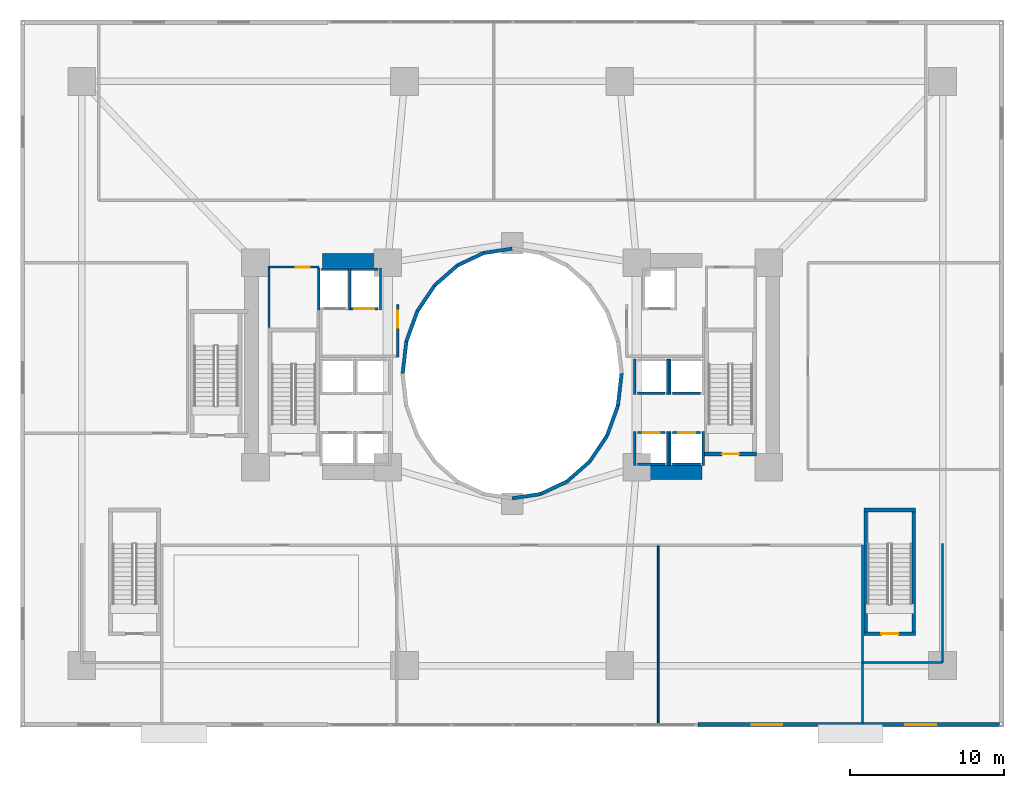
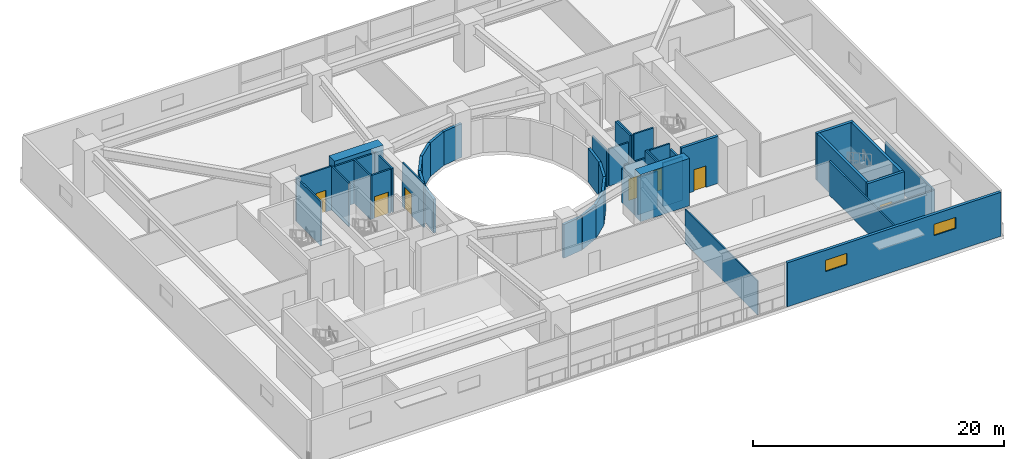
# One storey, part 12 of 20: 46 walls, 7 doors, 2 windows, 9 openings.
"""IFC4 building model written with IfcOpenShell, lengths in metres."""

import ifcopenshell
import ifcopenshell.guid

model = None  # the IFC model being written
_history = None  # IfcOwnerHistory: only IFC2X3 demands one
_inside = {}  # id of a spatial element -> (the spatial element, [elements in it])
_under = {}  # id of a project, library or spatial element -> (it, [spatial elements below it])
_declared = {}  # id of a project -> (the project, [libraries it declares])
_typed = {}  # id of a type object -> (the type object, [elements of that type])
_made_of = {}  # id of a material, layer set ... -> (it, [elements and type objects made of it])


def new_model(schema):
    """Start an empty IFC model of exactly this schema.

    Asked for "IFC4X3", IfcOpenShell would pick the latest addendum, in which some entities
    have other attributes; the version numbers below select the first issue.
    IFC2X3 requires an IfcOwnerHistory on every rooted entity: one is made here for all.
    """
    global model, _history
    if schema == "IFC4X3":
        model = ifcopenshell.file(schema_version=(4, 3, 0, 0))
    else:
        model = ifcopenshell.file(schema=schema)
    _inside.clear()
    _under.clear()
    _declared.clear()
    _typed.clear()
    _made_of.clear()
    _history = None
    if model.schema == "IFC2X3":
        org = make("IfcOrganization", Name="unknown")
        user = make(
            "IfcPersonAndOrganization",
            ThePerson=make("IfcPerson", FamilyName="unknown"),
            TheOrganization=org,
        )
        app = make(
            "IfcApplication",
            ApplicationDeveloper=org,
            Version="unknown",
            ApplicationFullName="unknown",
            ApplicationIdentifier="unknown",
        )
        _history = make(
            "IfcOwnerHistory",
            OwningUser=user,
            OwningApplication=app,
            ChangeAction="ADDED",
            CreationDate=0,
        )
    return model


def make(cls, **values):
    """One entity of the class cls with the attributes given. An attribute that is None is left unset."""
    return model.create_entity(
        cls, **{name: value for name, value in values.items() if value is not None}
    )


def rooted(cls, **values):
    """An entity with a GlobalId (a new one), such as an element, a storey or a relation."""
    return make(cls, GlobalId=ifcopenshell.guid.new(), OwnerHistory=_history, **values)


def si_unit(unit_type, name, prefix=None):
    """IfcSIUnit, for example si_unit("LENGTHUNIT", "METRE", prefix="MILLI")."""
    return make("IfcSIUnit", UnitType=unit_type, Prefix=prefix, Name=name)


def assignment(units):
    """IfcUnitAssignment: the units of a project."""
    return None if units is None else make("IfcUnitAssignment", Units=units)


def point(xyz):
    """IfcCartesianPoint."""
    return None if xyz is None else make("IfcCartesianPoint", Coordinates=xyz)


def direction(xyz):
    """IfcDirection."""
    return None if xyz is None else make("IfcDirection", DirectionRatios=xyz)


def frame(location, z_axis=None, x_axis=None):
    """IfcAxis2Placement3D, a coordinate frame: its origin and axes. An axis left out is left unset."""
    return make(
        "IfcAxis2Placement3D",
        Location=point(location),
        Axis=direction(z_axis),
        RefDirection=direction(x_axis),
    )


def frame_2d(location, x_axis=None):
    """IfcAxis2Placement2D, a coordinate frame in the plane: its origin and x axis."""
    return make(
        "IfcAxis2Placement2D", Location=point(location), RefDirection=direction(x_axis)
    )


def origin():
    """The frame at (0, 0, 0) with its axes left unset."""
    return frame((0.0, 0.0, 0.0))


def place(relative_to, where):
    """IfcLocalPlacement: puts the frame where relative to a parent placement (None: the world)."""
    return make(
        "IfcLocalPlacement", PlacementRelTo=relative_to, RelativePlacement=where
    )


def context(
    kind, dimensions, precision=None, world=None, true_north=None, identifier=None
):
    """IfcGeometricRepresentationContext, for example the 3D "Model" context."""
    return make(
        "IfcGeometricRepresentationContext",
        ContextIdentifier=identifier,
        ContextType=kind,
        CoordinateSpaceDimension=dimensions,
        Precision=precision,
        WorldCoordinateSystem=world,
        TrueNorth=true_north,
    )


def subcontext(parent, identifier, kind, view, scale=None):
    """IfcGeometricRepresentationSubContext, for example "Body" below "Model"."""
    return make(
        "IfcGeometricRepresentationSubContext",
        ContextIdentifier=identifier,
        ContextType=kind,
        ParentContext=parent,
        TargetScale=scale,
        TargetView=view,
    )


def project(units=None, contexts=None):
    """IfcProject with its units and contexts."""
    return rooted(
        "IfcProject",
        Name="project",
        RepresentationContexts=contexts,
        UnitsInContext=assignment(units),
    )


def spatial(cls, under=None, at=None, **own):
    """A site, building, storey or space (cls), placed at a placement, below another one or the project."""
    s = rooted(cls, ObjectPlacement=at, **own)
    if under is not None:
        _under.setdefault(under.id(), (under, []))[1].append(s)
    return s


def profile(cls, at=None, kind="AREA", **sizes):
    """A parametric profile (cls). Its sizes go by their IFC names, for example OverallWidth=200.0."""
    return make(cls, ProfileType=kind, Position=at, **sizes)


def rectangle(**sizes):
    """IfcRectangleProfileDef."""
    return profile("IfcRectangleProfileDef", **sizes)


def extrude(swept, where, along, depth):
    """IfcExtrudedAreaSolid: the profile swept, set in the frame where, extruded along a direction by depth."""
    return make(
        "IfcExtrudedAreaSolid",
        SweptArea=swept,
        Position=where,
        ExtrudedDirection=direction(along),
        Depth=depth,
    )


def shape(context_of_items, identifier, shape_type, items):
    """IfcShapeRepresentation: the items that make up one representation, for example the "Body"."""
    return make(
        "IfcShapeRepresentation",
        ContextOfItems=context_of_items,
        RepresentationIdentifier=identifier,
        RepresentationType=shape_type,
        Items=items,
    )


def material(Name=None, Category=None):
    """IfcMaterial."""
    return make("IfcMaterial", Name=Name, Category=Category)


def layer(
    of_material, thickness, ventilated=None, Name=None, Category=None, Priority=None
):
    """IfcMaterialLayer: one layer of a wall or slab, of a material (None: an air gap)."""
    return make(
        "IfcMaterialLayer",
        Material=of_material,
        LayerThickness=thickness,
        IsVentilated=ventilated,
        Name=Name,
        Category=Category,
        Priority=Priority,
    )


def layer_set(layers, Name=None):
    """IfcMaterialLayerSet."""
    return make("IfcMaterialLayerSet", MaterialLayers=layers, LayerSetName=Name)


def made_of(thing, what):
    """Note that an element or type object is made of a material, layer set ...; save() writes the relation."""
    if what is not None:
        _made_of.setdefault(what.id(), (what, []))[1].append(thing)
    return thing


def type_object(cls, material=None, **own):
    """A type object (cls), such as IfcWallType, which elements share."""
    return made_of(rooted(cls, **own), material)


def element(
    cls,
    number,
    at=None,
    inside=None,
    cuts=None,
    type_object=None,
    material=None,
    context=None,
    identifier="Body",
    shape_type=None,
    held_by="IfcProductDefinitionShape",
    body=None,
    shapes=None,
    **own,
):
    """One element of the class cls, such as IfcWall. Its Tag is "e" and its number.

    at: its placement. inside: the storey or other place that contains it. cuts: it is an
    opening in that element (IfcRelVoidsElement). A single representation is given by context,
    identifier, shape_type and body (its items); several are given by shapes. held_by: the class
    of the entity that holds the representations. save() writes the other relations.
    """
    e = rooted(cls, Tag="e%d" % number, ObjectPlacement=at, **own)
    if body is not None:
        shapes = [shape(context, identifier, shape_type, body)]
    if shapes is not None:
        e.Representation = make(held_by, Representations=shapes)
    if inside is not None:
        _inside.setdefault(inside.id(), (inside, []))[1].append(e)
    if cuts is not None:
        rooted(
            "IfcRelVoidsElement", RelatingBuildingElement=cuts, RelatedOpeningElement=e
        )
    if type_object is not None:
        _typed.setdefault(type_object.id(), (type_object, []))[1].append(e)
    return made_of(e, material)


def fill(opening, filler):
    """IfcRelFillsElement: the door or window that sits in an opening."""
    return rooted(
        "IfcRelFillsElement",
        RelatingOpeningElement=opening,
        RelatedBuildingElement=filler,
    )


def aggregate(whole, parts):
    """IfcRelAggregates: a whole, such as a stair, and the parts it consists of."""
    return rooted("IfcRelAggregates", RelatingObject=whole, RelatedObjects=parts)


def save(model, path):
    """Write the relations noted so far, then the file.

    IfcRelAggregates (storeys below a building ...), IfcRelContainedInSpatialStructure (elements
    in a storey), IfcRelDefinesByType, IfcRelAssociatesMaterial and IfcRelDeclares: one each for
    every whole, place, type object, material and project.
    """
    for whole, parts in _under.values():
        aggregate(whole, parts)
    for where, things in _inside.values():
        rooted(
            "IfcRelContainedInSpatialStructure",
            RelatedElements=things,
            RelatingStructure=where,
        )
    for kind, things in _typed.values():
        rooted("IfcRelDefinesByType", RelatedObjects=things, RelatingType=kind)
    for what, things in _made_of.values():
        rooted("IfcRelAssociatesMaterial", RelatedObjects=things, RelatingMaterial=what)
    for by, libraries in _declared.values():
        rooted("IfcRelDeclares", RelatingContext=by, RelatedDefinitions=libraries)
    model.write(path)


model = new_model("IFC4")

# Units and contexts
model_context = context("Model", 3, precision=1e-05, world=origin(), true_north=direction((0.0, 1.0)))
body_context = subcontext(model_context, "Body", "Model", "MODEL_VIEW")
ifc_project = project(units=[si_unit("LENGTHUNIT", "METRE"), si_unit("AREAUNIT", "SQUARE_METRE"), si_unit("VOLUMEUNIT", "CUBIC_METRE"), si_unit("PLANEANGLEUNIT", "RADIAN"), si_unit("MASSUNIT", "GRAM", prefix="KILO")], contexts=[model_context])

# Site, building, storey
site_placement = place(None, origin())
site = spatial("IfcSite", under=ifc_project, at=site_placement, CompositionType="ELEMENT")
building_placement = place(site_placement, origin())
building = spatial("IfcBuilding", under=site, at=building_placement, Name="Solvane Sanctuary Tower", CompositionType="ELEMENT")
storey_placement = place(building_placement, frame((0.0, 0.0, 9.199951171875)))
storey = spatial("IfcBuildingStorey", under=building, at=storey_placement, Name="L03", CompositionType="ELEMENT", Elevation=9.199951171875)

# Walls
ifc_material_1 = material(Name="Concrete C70/85", Category="concrete")
ifc_layer_1 = layer(ifc_material_1, 0.89990234375, Name="Concrete C70/85")
ifc_layer_set_1 = layer_set([ifc_layer_1], Name="Concrete C70/85")
wall_type_1 = type_object("IfcWallType", Name="Wall W-CORE-900", PredefinedType="SHEAR", material=ifc_layer_set_1)
for number, where, z_axis, x_axis, name in (
    (1, (19.64990234375, 30.35009765625, 0.0), (0.0, 0.0, 1.0), (1.0, 0.0, 0.0), "L03 Core Shear Wall WC-N"),
    (2, (39.85009765625, 16.550048828125, 0.0), (0.0, 0.0, 1.0), (1.0, 0.0, 0.0), "L03 Core Shear Wall EC-S"),
):
    element("IfcWall", number, at=place(storey_placement, frame(where, z_axis=z_axis, x_axis=x_axis)), inside=storey, type_object=wall_type_1, Name=name, PredefinedType="SHEAR", context=body_context, shape_type="SweptSolid", body=[
        extrude(rectangle(XDim=4.5, YDim=0.89990234375, at=frame_2d((2.25, 0.0))), origin(), (0.0, 0.0, 1.0), 4.60009765625),
    ])

# Wall, opening, door
ifc_material_2 = material(Name="Acoustic Gypsum Partition Board")
ifc_layer_2 = layer(ifc_material_2, 0.14990234375, Name="Acoustic Gypsum Partition Board")
ifc_layer_set_2 = layer_set([ifc_layer_2], Name="Acoustic Gypsum Partition Board")
wall_type_2 = type_object("IfcWallType", Name="Wall W-CORR-150", PredefinedType="PARTITIONING", material=ifc_layer_set_2)
wall_1_placement = place(storey_placement, frame((24.550048828125, 24.080078125, 0.0), z_axis=(0.0, 0.0, 1.0), x_axis=(0.0, 1.0, 0.0)))
wall_1 = element("IfcWall", 3, at=wall_1_placement, inside=storey, type_object=wall_type_2, Name="L03 West Firefighting Lobby East Wall", PredefinedType="PARTITIONING", context=body_context, shape_type="SweptSolid", body=[
    extrude(rectangle(XDim=3.39990234375, YDim=0.14990234375, at=frame_2d((1.699951171875, 0.0))), origin(), (0.0, 0.0, 1.0), 4.255126953125),
])
opening_1_placement = place(wall_1_placement, frame((1.893798828125, 0.0, 0.0)))
opening_1 = element("IfcOpeningElement", 4, at=opening_1_placement, cuts=wall_1, Name="Opening D-L03-06", PredefinedType="OPENING", context=body_context, shape_type="SweptSolid", body=[
    extrude(rectangle(XDim=1.10009765625, YDim=2.10009765625, at=frame_2d((0.550048828125, 1.050048828125))), frame((0.0, 0.0849609375, 0.0), z_axis=(0.0, -1.0, 0.0), x_axis=(1.0, 0.0, 0.0)), (0.0, 0.0, 1.0), 0.169921875),
])
ifc_material_3 = material(Name="Architectural Stainless Steel 316", Category="steel")
door_type_1 = type_object("IfcDoorType", Name="Door D-FFL", OperationType="NOTDEFINED", PredefinedType="DOOR", material=ifc_material_3)
door_1_placement = place(opening_1_placement, origin())
door_1 = element("IfcDoor", 5, at=door_1_placement, inside=storey, type_object=door_type_1, Name="L03 West Firefighting Lobby Fire Door", OperationType="SINGLE_SWING_RIGHT", OverallHeight=2.10009765625, OverallWidth=1.10009765625, PredefinedType="DOOR", context=body_context, shape_type="SweptSolid", body=[
    extrude(rectangle(XDim=1.10009765625, YDim=2.10009765625, at=frame_2d((0.550048828125, 1.050048828125))), frame((0.0, 0.02490234375, 0.0), z_axis=(0.0, -1.0, 0.0), x_axis=(1.0, 0.0, 0.0)), (0.0, 0.0, 1.0), 0.050048828125),
])
fill(opening_1, door_1)

# Walls
wall_2_placement = place(storey_placement, frame((54.800048828125, 0.25, 0.0), z_axis=(0.0, 0.0, 1.0), x_axis=(0.0, 1.0, 0.0)))
element("IfcWall", 6, at=wall_2_placement, inside=storey, type_object=wall_type_2, Name="L03 East Hall End Wall", PredefinedType="PARTITIONING", context=body_context, shape_type="SweptSolid", body=[
    extrude(rectangle(XDim=11.580078125, YDim=0.14990234375, at=frame_2d((5.7900390625, 0.0))), origin(), (0.0, 0.0, 1.0), 3.300048828125),
])
wall_3_placement = place(storey_placement, frame((60.0, 4.199951171875, 0.0), z_axis=(0.0, 0.0, 1.0), x_axis=(0.0, 1.0, 0.0)))
element("IfcWall", 7, at=wall_3_placement, inside=storey, type_object=wall_type_2, Name="L03 ST-5 Link East Wall", PredefinedType="PARTITIONING", context=body_context, shape_type="SweptSolid", body=[
    extrude(rectangle(XDim=7.75, YDim=0.14990234375, at=frame_2d((3.875, 0.0))), origin(), (0.0, 0.0, 1.0), 3.300048828125),
])
wall_4_placement = place(storey_placement, frame((54.800048828125, 4.199951171875, 0.0), z_axis=(0.0, 0.0, 1.0), x_axis=(1.0, 0.0, 0.0)))
element("IfcWall", 8, at=wall_4_placement, inside=storey, type_object=wall_type_2, Name="L03 ST-5 Lobby South Wall", PredefinedType="PARTITIONING", context=body_context, shape_type="SweptSolid", body=[
    extrude(rectangle(XDim=5.199951171875, YDim=0.14990234375, at=frame_2d((2.60009765625, 0.0))), origin(), (0.0, 0.0, 1.0), 3.300048828125),
])

# Wall, openings, windows
ifc_material_4 = material(Name="Precast concrete C40/50", Category="concrete")
ifc_layer_3 = layer(ifc_material_4, 0.260009765625, Name="Precast concrete C40/50")
ifc_layer_set_3 = layer_set([ifc_layer_3], Name="Precast concrete C40/50")
wall_type_3 = type_object("IfcWallType", Name="Wall W-EXT-250", PredefinedType="STANDARD", material=ifc_layer_set_3)
wall_5_placement = place(storey_placement, frame((44.080078125, 0.14990234375, 0.0), z_axis=(0.0, 0.0, 1.0), x_axis=(1.0, 0.0, 0.0)))
wall_5 = element("IfcWall", 9, at=wall_5_placement, inside=storey, type_object=wall_type_3, Name="L03 Podium Facade Wall S3", PredefinedType="STANDARD", context=body_context, shape_type="SweptSolid", body=[
    extrude(rectangle(XDim=19.639892578125, YDim=0.260009765625, at=frame_2d((9.81982421875, 0.0))), origin(), (0.0, 0.0, 1.0), 4.280029296875),
])
opening_2_placement = place(wall_5_placement, frame((3.5, 0.0, 2.199951171875)))
opening_2 = element("IfcOpeningElement", 10, at=opening_2_placement, cuts=wall_5, Name="Opening WN-CLER-2000", PredefinedType="OPENING", context=body_context, shape_type="SweptSolid", body=[
    extrude(rectangle(XDim=2.0, YDim=1.10009765625, at=frame_2d((1.0, 0.550048828125))), frame((0.0, 0.139892578125, 0.0), z_axis=(0.0, -1.0, 0.0), x_axis=(1.0, 0.0, 0.0)), (0.0, 0.0, 1.0), 0.280029296875),
])
opening_3_placement = place(wall_5_placement, frame((13.5, 0.0, 2.199951171875)))
opening_3 = element("IfcOpeningElement", 11, at=opening_3_placement, cuts=wall_5, Name="Opening WN-CLER-2000", PredefinedType="OPENING", context=body_context, shape_type="SweptSolid", body=[
    extrude(rectangle(XDim=2.0, YDim=1.10009765625, at=frame_2d((1.0, 0.550048828125))), frame((0.0, 0.139892578125, 0.0), z_axis=(0.0, -1.0, 0.0), x_axis=(1.0, 0.0, 0.0)), (0.0, 0.0, 1.0), 0.280029296875),
])
ifc_material_5 = material(Name="Dark Ceramic-Fritted Low-E Glass", Category="glass")
window_type = type_object("IfcWindowType", Name="Window WN-CLER-2000", PartitioningType="SINGLE_PANEL", PredefinedType="WINDOW", material=ifc_material_5)
window_1_placement = place(opening_2_placement, origin())
window_1 = element("IfcWindow", 12, at=window_1_placement, inside=storey, type_object=window_type, Name="L03 Podium Window S3-3", OverallHeight=1.10009765625, OverallWidth=2.0, PartitioningType="SINGLE_PANEL", PredefinedType="WINDOW", context=body_context, shape_type="SweptSolid", body=[
    extrude(rectangle(XDim=2.0, YDim=1.10009765625, at=frame_2d((1.0, 0.550048828125))), frame((0.0, 0.030029296875, 0.0), z_axis=(0.0, -1.0, 0.0), x_axis=(1.0, 0.0, 0.0)), (0.0, 0.0, 1.0), 0.06005859375),
])
fill(opening_2, window_1)
window_2_placement = place(opening_3_placement, origin())
window_2 = element("IfcWindow", 13, at=window_2_placement, inside=storey, type_object=window_type, Name="L03 Podium Window S3-13", OverallHeight=1.10009765625, OverallWidth=2.0, PartitioningType="SINGLE_PANEL", PredefinedType="WINDOW", context=body_context, shape_type="SweptSolid", body=[
    extrude(rectangle(XDim=2.0, YDim=1.10009765625, at=frame_2d((1.0, 0.550048828125))), frame((0.0, 0.030029296875, 0.0), z_axis=(0.0, -1.0, 0.0), x_axis=(1.0, 0.0, 0.0)), (0.0, 0.0, 1.0), 0.06005859375),
])
fill(opening_3, window_2)

# Walls
ifc_layer_4 = layer(ifc_material_4, 0.22998046875, Name="Precast concrete C40/50")
ifc_layer_set_4 = layer_set([ifc_layer_4], Name="Precast concrete C40/50")
wall_type_4 = type_object("IfcWallType", Name="Wall W-EXT-SP220", PredefinedType="STANDARD", material=ifc_layer_set_4)
wall_6_placement = place(storey_placement, frame((32.0, 31.1201171875, 0.0), z_axis=(0.0, 0.0, 1.0), x_axis=(-0.988901730308, -0.148571086668, 0.0)))
element("IfcWall", 14, at=wall_6_placement, inside=storey, type_object=wall_type_4, Name="L03 Light-Well Enclosure Wall 06", PredefinedType="STANDARD", context=body_context, shape_type="SweptSolid", body=[
    extrude(rectangle(XDim=1.863525390625, YDim=0.22998046875, at=frame_2d((0.931640625, 0.0))), origin(), (0.0, 0.0, 1.0), 3.280029296875),
])
wall_7_placement = place(storey_placement, frame((30.1572265625, 30.84326171875, 0.0), z_axis=(0.0, 0.0, 1.0), x_axis=(-0.904179699603, -0.427152280606, 0.0)))
element("IfcWall", 15, at=wall_7_placement, inside=storey, type_object=wall_type_4, Name="L03 Light-Well Enclosure Wall 07", PredefinedType="STANDARD", context=body_context, shape_type="SweptSolid", body=[
    extrude(rectangle(XDim=1.899169921875, YDim=0.22998046875, at=frame_2d((0.94970703125, 0.0))), origin(), (0.0, 0.0, 1.0), 3.280029296875),
])
wall_8_placement = place(storey_placement, frame((28.43994140625, 30.031982421875, 0.0), z_axis=(0.0, 0.0, 1.0), x_axis=(-0.752576694707, -0.658504607869, 0.0)))
element("IfcWall", 16, at=wall_8_placement, inside=storey, type_object=wall_type_4, Name="L03 Light-Well Enclosure Wall 08", PredefinedType="STANDARD", context=body_context, shape_type="SweptSolid", body=[
    extrude(rectangle(XDim=1.95947265625, YDim=0.22998046875, at=frame_2d((0.979736328125, 0.0))), origin(), (0.0, 0.0, 1.0), 3.280029296875),
])
wall_9_placement = place(storey_placement, frame((26.96533203125, 28.74169921875, 0.0), z_axis=(0.0, 0.0, 1.0), x_axis=(-0.558197800898, -0.829707909492, 0.0)))
element("IfcWall", 17, at=wall_9_placement, inside=storey, type_object=wall_type_4, Name="L03 Light-Well Enclosure Wall 09", PredefinedType="STANDARD", context=body_context, shape_type="SweptSolid", body=[
    extrude(rectangle(XDim=2.02685546875, YDim=0.22998046875, at=frame_2d((1.013427734375, 0.0))), origin(), (0.0, 0.0, 1.0), 3.280029296875),
])
wall_10_placement = place(storey_placement, frame((25.833984375, 27.06005859375, 0.0), z_axis=(0.0, 0.0, 1.0), x_axis=(-0.341423187295, -0.93990968033, 0.0)))
element("IfcWall", 18, at=wall_10_placement, inside=storey, type_object=wall_type_4, Name="L03 Light-Well Enclosure Wall 10", PredefinedType="STANDARD", context=body_context, shape_type="SweptSolid", body=[
    extrude(rectangle(XDim=2.083740234375, YDim=0.22998046875, at=frame_2d((1.0419921875, 0.0))), origin(), (0.0, 0.0, 1.0), 3.280029296875),
])
wall_11_placement = place(storey_placement, frame((25.12255859375, 25.1015625, 0.0), z_axis=(0.0, 0.0, 1.0), x_axis=(-0.114711713601, -0.993398823617, 0.0)))
element("IfcWall", 19, at=wall_11_placement, inside=storey, type_object=wall_type_4, Name="L03 Light-Well Enclosure Wall 11", PredefinedType="STANDARD", context=body_context, shape_type="SweptSolid", body=[
    extrude(rectangle(XDim=2.115478515625, YDim=0.22998046875, at=frame_2d((1.0576171875, 0.0))), origin(), (0.0, 0.0, 1.0), 3.280029296875),
])
wall_12_placement = place(storey_placement, frame((32.0, 14.8798828125, 0.0), z_axis=(0.0, 0.0, 1.0), x_axis=(0.988901730308, 0.148571086668, 0.0)))
element("IfcWall", 20, at=wall_12_placement, inside=storey, type_object=wall_type_4, Name="L03 Light-Well Enclosure Wall 18", PredefinedType="STANDARD", context=body_context, shape_type="SweptSolid", body=[
    extrude(rectangle(XDim=1.863525390625, YDim=0.22998046875, at=frame_2d((0.931640625, 0.0))), origin(), (0.0, 0.0, 1.0), 3.280029296875),
])
wall_13_placement = place(storey_placement, frame((33.8427734375, 15.15673828125, 0.0), z_axis=(0.0, 0.0, 1.0), x_axis=(0.904179699603, 0.427152280606, 0.0)))
element("IfcWall", 21, at=wall_13_placement, inside=storey, type_object=wall_type_4, Name="L03 Light-Well Enclosure Wall 19", PredefinedType="STANDARD", context=body_context, shape_type="SweptSolid", body=[
    extrude(rectangle(XDim=1.899169921875, YDim=0.22998046875, at=frame_2d((0.94970703125, 0.0))), origin(), (0.0, 0.0, 1.0), 3.280029296875),
])
wall_14_placement = place(storey_placement, frame((35.56005859375, 15.968017578125, 0.0), z_axis=(0.0, 0.0, 1.0), x_axis=(0.752576694707, 0.658504607869, 0.0)))
element("IfcWall", 22, at=wall_14_placement, inside=storey, type_object=wall_type_4, Name="L03 Light-Well Enclosure Wall 20", PredefinedType="STANDARD", context=body_context, shape_type="SweptSolid", body=[
    extrude(rectangle(XDim=1.95947265625, YDim=0.22998046875, at=frame_2d((0.979736328125, 0.0))), origin(), (0.0, 0.0, 1.0), 3.280029296875),
])
wall_15_placement = place(storey_placement, frame((37.03466796875, 17.25830078125, 0.0), z_axis=(0.0, 0.0, 1.0), x_axis=(0.558197800898, 0.829707909492, 0.0)))
element("IfcWall", 23, at=wall_15_placement, inside=storey, type_object=wall_type_4, Name="L03 Light-Well Enclosure Wall 21", PredefinedType="STANDARD", context=body_context, shape_type="SweptSolid", body=[
    extrude(rectangle(XDim=2.02685546875, YDim=0.22998046875, at=frame_2d((1.013427734375, 0.0))), origin(), (0.0, 0.0, 1.0), 3.280029296875),
])
wall_16_placement = place(storey_placement, frame((38.166015625, 18.93994140625, 0.0), z_axis=(0.0, 0.0, 1.0), x_axis=(0.341423187295, 0.93990968033, 0.0)))
element("IfcWall", 24, at=wall_16_placement, inside=storey, type_object=wall_type_4, Name="L03 Light-Well Enclosure Wall 22", PredefinedType="STANDARD", context=body_context, shape_type="SweptSolid", body=[
    extrude(rectangle(XDim=2.083740234375, YDim=0.22998046875, at=frame_2d((1.0419921875, 0.0))), origin(), (0.0, 0.0, 1.0), 3.280029296875),
])
wall_17_placement = place(storey_placement, frame((38.87744140625, 20.8984375, 0.0), z_axis=(0.0, 0.0, 1.0), x_axis=(0.114711713601, 0.993398823617, 0.0)))
element("IfcWall", 25, at=wall_17_placement, inside=storey, type_object=wall_type_4, Name="L03 Light-Well Enclosure Wall 23", PredefinedType="STANDARD", context=body_context, shape_type="SweptSolid", body=[
    extrude(rectangle(XDim=2.115478515625, YDim=0.22998046875, at=frame_2d((1.0576171875, 0.0))), origin(), (0.0, 0.0, 1.0), 3.280029296875),
])
ifc_layer_5 = layer(ifc_material_2, 0.1201171875, Name="Acoustic Gypsum Partition Board")
ifc_layer_set_5 = layer_set([ifc_layer_5], Name="Acoustic Gypsum Partition Board")
wall_type_5 = type_object("IfcWallType", Name="Wall W-MOV-100", PredefinedType="MOVABLE", material=ifc_layer_set_5)
wall_18_placement = place(storey_placement, frame((41.5, 0.25, 0.0), z_axis=(0.0, 0.0, 1.0), x_axis=(0.0, 1.0, 0.0)))
element("IfcWall", 26, at=wall_18_placement, inside=storey, type_object=wall_type_5, Name="L03 Hall Dividing Partition GAL-C", PredefinedType="MOVABLE", context=body_context, shape_type="SweptSolid", body=[
    extrude(rectangle(XDim=11.530029296875, YDim=0.1201171875, at=frame_2d((5.76513671875, 0.0))), origin(), (0.0, 0.0, 1.0), 3.300048828125),
])

# Wall, opening, door
ifc_material_6 = material(Name="Concrete C50/60", Category="concrete")
ifc_layer_6 = layer(ifc_material_6, 0.14990234375, Name="Concrete C50/60")
ifc_layer_set_6 = layer_set([ifc_layer_6], Name="Concrete C50/60")
wall_type_6 = type_object("IfcWallType", Name="Wall W-SHAFT-150", PredefinedType="SOLIDWALL", material=ifc_layer_set_6)
wall_19_placement = place(storey_placement, frame((40.139892578125, 19.159912109375, 0.0), z_axis=(0.0, 0.0, 1.0), x_axis=(1.0, 0.0, 0.0)))
wall_19 = element("IfcWall", 27, at=wall_19_placement, inside=storey, type_object=wall_type_6, Name="L03 PL-3 Lift Shaft Wall F", PredefinedType="SOLIDWALL", context=body_context, shape_type="SweptSolid", body=[
    extrude(rectangle(XDim=1.820068359375, YDim=0.14990234375, at=frame_2d((0.91015625, 0.0))), origin(), (0.0, 0.0, 1.0), 3.6201171875),
])
opening_4_placement = place(wall_19_placement, frame((0.360107421875, 0.0, 0.0)))
opening_4 = element("IfcOpeningElement", 28, at=opening_4_placement, cuts=wall_19, Name="Opening LD-L03-03", PredefinedType="OPENING", context=body_context, shape_type="SweptSolid", body=[
    extrude(rectangle(XDim=1.10009765625, YDim=2.10009765625, at=frame_2d((0.550048828125, 1.050048828125))), frame((0.0, 0.0849609375, 0.0), z_axis=(0.0, -1.0, 0.0), x_axis=(1.0, 0.0, 0.0)), (0.0, 0.0, 1.0), 0.169921875),
])
door_type_2 = type_object("IfcDoorType", Name="Door LD-PASS-1100", OperationType="NOTDEFINED", PredefinedType="DOOR", material=ifc_material_3)
door_2_placement = place(opening_4_placement, origin())
door_2 = element("IfcDoor", 29, at=door_2_placement, inside=storey, type_object=door_type_2, Name="L03 PL-3 Lift Landing Door", OperationType="DOUBLE_DOOR_SLIDING", OverallHeight=2.10009765625, OverallWidth=1.10009765625, PredefinedType="DOOR", context=body_context, shape_type="SweptSolid", body=[
    extrude(rectangle(XDim=1.10009765625, YDim=2.10009765625, at=frame_2d((0.550048828125, 1.050048828125))), frame((0.0, 0.02490234375, 0.0), z_axis=(0.0, -1.0, 0.0), x_axis=(1.0, 0.0, 0.0)), (0.0, 0.0, 1.0), 0.050048828125),
])
fill(opening_4, door_2)

# Walls
wall_20_placement = place(storey_placement, frame((40.139892578125, 17.10009765625, 0.0), z_axis=(0.0, 0.0, 1.0), x_axis=(1.0, 0.0, 0.0)))
element("IfcWall", 30, at=wall_20_placement, inside=storey, type_object=wall_type_6, Name="L03 PL-3 Lift Shaft Wall B", PredefinedType="SOLIDWALL", context=body_context, shape_type="SweptSolid", body=[
    extrude(rectangle(XDim=1.820068359375, YDim=0.14990234375, at=frame_2d((0.91015625, 0.0))), origin(), (0.0, 0.0, 1.0), 3.6201171875),
])
wall_21_placement = place(storey_placement, frame((39.969970703125, 17.02001953125, 0.0), z_axis=(0.0, 0.0, 1.0), x_axis=(0.0, 1.0, 0.0)))
element("IfcWall", 31, at=wall_21_placement, inside=storey, type_object=wall_type_6, Name="L03 PL-3 Lift Shaft Wall S1", PredefinedType="SOLIDWALL", context=body_context, shape_type="SweptSolid", body=[
    extrude(rectangle(XDim=2.219970703125, YDim=0.14990234375, at=frame_2d((1.10986328125, 0.0))), origin(), (0.0, 0.0, 1.0), 3.300048828125),
])
wall_22_placement = place(storey_placement, frame((42.1298828125, 17.02001953125, 0.0), z_axis=(0.0, 0.0, 1.0), x_axis=(0.0, 1.0, 0.0)))
element("IfcWall", 32, at=wall_22_placement, inside=storey, type_object=wall_type_6, Name="L03 PL-3 Lift Shaft Wall S2", PredefinedType="SOLIDWALL", context=body_context, shape_type="SweptSolid", body=[
    extrude(rectangle(XDim=2.219970703125, YDim=0.14990234375, at=frame_2d((1.10986328125, 0.0))), origin(), (0.0, 0.0, 1.0), 4.255126953125),
])

# Wall, opening, door
wall_23_placement = place(storey_placement, frame((42.43994140625, 19.159912109375, 0.0), z_axis=(0.0, 0.0, 1.0), x_axis=(1.0, 0.0, 0.0)))
wall_23 = element("IfcWall", 33, at=wall_23_placement, inside=storey, type_object=wall_type_6, Name="L03 PL-4 Lift Shaft Wall F", PredefinedType="SOLIDWALL", context=body_context, shape_type="SweptSolid", body=[
    extrude(rectangle(XDim=1.820068359375, YDim=0.14990234375, at=frame_2d((0.91015625, 0.0))), origin(), (0.0, 0.0, 1.0), 4.255126953125),
])
opening_5_placement = place(wall_23_placement, frame((0.360107421875, 0.0, 0.0)))
opening_5 = element("IfcOpeningElement", 34, at=opening_5_placement, cuts=wall_23, Name="Opening LD-L03-04", PredefinedType="OPENING", context=body_context, shape_type="SweptSolid", body=[
    extrude(rectangle(XDim=1.10009765625, YDim=2.10009765625, at=frame_2d((0.550048828125, 1.050048828125))), frame((0.0, 0.0849609375, 0.0), z_axis=(0.0, -1.0, 0.0), x_axis=(1.0, 0.0, 0.0)), (0.0, 0.0, 1.0), 0.169921875),
])
door_3_placement = place(opening_5_placement, origin())
door_3 = element("IfcDoor", 35, at=door_3_placement, inside=storey, type_object=door_type_2, Name="L03 PL-4 Lift Landing Door", OperationType="DOUBLE_DOOR_SLIDING", OverallHeight=2.10009765625, OverallWidth=1.10009765625, PredefinedType="DOOR", context=body_context, shape_type="SweptSolid", body=[
    extrude(rectangle(XDim=1.10009765625, YDim=2.10009765625, at=frame_2d((0.550048828125, 1.050048828125))), frame((0.0, 0.02490234375, 0.0), z_axis=(0.0, -1.0, 0.0), x_axis=(1.0, 0.0, 0.0)), (0.0, 0.0, 1.0), 0.050048828125),
])
fill(opening_5, door_3)

# Walls
wall_24_placement = place(storey_placement, frame((42.43994140625, 17.10009765625, 0.0), z_axis=(0.0, 0.0, 1.0), x_axis=(1.0, 0.0, 0.0)))
element("IfcWall", 36, at=wall_24_placement, inside=storey, type_object=wall_type_6, Name="L03 PL-4 Lift Shaft Wall B", PredefinedType="SOLIDWALL", context=body_context, shape_type="SweptSolid", body=[
    extrude(rectangle(XDim=1.820068359375, YDim=0.14990234375, at=frame_2d((0.91015625, 0.0))), origin(), (0.0, 0.0, 1.0), 4.255126953125),
])
wall_25_placement = place(storey_placement, frame((42.27001953125, 17.02001953125, 0.0), z_axis=(0.0, 0.0, 1.0), x_axis=(0.0, 1.0, 0.0)))
element("IfcWall", 37, at=wall_25_placement, inside=storey, type_object=wall_type_6, Name="L03 PL-4 Lift Shaft Wall S1", PredefinedType="SOLIDWALL", context=body_context, shape_type="SweptSolid", body=[
    extrude(rectangle(XDim=2.219970703125, YDim=0.14990234375, at=frame_2d((1.10986328125, 0.0))), origin(), (0.0, 0.0, 1.0), 4.255126953125),
])
wall_26_placement = place(storey_placement, frame((44.429931640625, 17.02001953125, 0.0), z_axis=(0.0, 0.0, 1.0), x_axis=(0.0, 1.0, 0.0)))
element("IfcWall", 38, at=wall_26_placement, inside=storey, type_object=wall_type_6, Name="L03 PL-4 Lift Shaft Wall S2", PredefinedType="SOLIDWALL", context=body_context, shape_type="SweptSolid", body=[
    extrude(rectangle(XDim=2.219970703125, YDim=0.14990234375, at=frame_2d((1.10986328125, 0.0))), origin(), (0.0, 0.0, 1.0), 3.6201171875),
])
wall_27_placement = place(storey_placement, frame((42.43994140625, 21.719970703125, 0.0), z_axis=(0.0, 0.0, 1.0), x_axis=(1.0, 0.0, 0.0)))
element("IfcWall", 39, at=wall_27_placement, inside=storey, type_object=wall_type_6, Name="L03 PM-2 Lift Shaft Wall F", PredefinedType="SOLIDWALL", context=body_context, shape_type="SweptSolid", body=[
    extrude(rectangle(XDim=1.820068359375, YDim=0.14990234375, at=frame_2d((0.91015625, 0.0))), origin(), (0.0, 0.0, 1.0), 4.255126953125),
])
wall_28_placement = place(storey_placement, frame((42.27001953125, 21.639892578125, 0.0), z_axis=(0.0, 0.0, 1.0), x_axis=(0.0, 1.0, 0.0)))
element("IfcWall", 40, at=wall_28_placement, inside=storey, type_object=wall_type_6, Name="L03 PM-2 Lift Shaft Wall S1", PredefinedType="SOLIDWALL", context=body_context, shape_type="SweptSolid", body=[
    extrude(rectangle(XDim=2.320068359375, YDim=0.14990234375, at=frame_2d((1.16015625, 0.0))), origin(), (0.0, 0.0, 1.0), 4.255126953125),
])
wall_29_placement = place(storey_placement, frame((40.139892578125, 21.719970703125, 0.0), z_axis=(0.0, 0.0, 1.0), x_axis=(1.0, 0.0, 0.0)))
element("IfcWall", 41, at=wall_29_placement, inside=storey, type_object=wall_type_6, Name="L03 PH-2 Lift Shaft Wall F", PredefinedType="SOLIDWALL", context=body_context, shape_type="SweptSolid", body=[
    extrude(rectangle(XDim=1.820068359375, YDim=0.14990234375, at=frame_2d((0.91015625, 0.0))), origin(), (0.0, 0.0, 1.0), 3.6201171875),
])
wall_30_placement = place(storey_placement, frame((39.969970703125, 21.639892578125, 0.0), z_axis=(0.0, 0.0, 1.0), x_axis=(0.0, 1.0, 0.0)))
element("IfcWall", 42, at=wall_30_placement, inside=storey, type_object=wall_type_6, Name="L03 PH-2 Lift Shaft Wall S1", PredefinedType="SOLIDWALL", context=body_context, shape_type="SweptSolid", body=[
    extrude(rectangle(XDim=2.320068359375, YDim=0.14990234375, at=frame_2d((1.16015625, 0.0))), origin(), (0.0, 0.0, 1.0), 3.6201171875),
])
wall_31_placement = place(storey_placement, frame((42.1298828125, 21.639892578125, 0.0), z_axis=(0.0, 0.0, 1.0), x_axis=(0.0, 1.0, 0.0)))
element("IfcWall", 43, at=wall_31_placement, inside=storey, type_object=wall_type_6, Name="L03 PH-2 Lift Shaft Wall S2", PredefinedType="SOLIDWALL", context=body_context, shape_type="SweptSolid", body=[
    extrude(rectangle(XDim=2.320068359375, YDim=0.14990234375, at=frame_2d((1.16015625, 0.0))), origin(), (0.0, 0.0, 1.0), 4.255126953125),
])
wall_32_placement = place(storey_placement, frame((19.590087890625, 29.780029296875, 0.0), z_axis=(0.0, 0.0, 1.0), x_axis=(1.0, 0.0, 0.0)))
element("IfcWall", 44, at=wall_32_placement, inside=storey, type_object=wall_type_6, Name="L03 FFL-1 Lift Shaft Wall B", PredefinedType="SOLIDWALL", context=body_context, shape_type="SweptSolid", body=[
    extrude(rectangle(XDim=1.760009765625, YDim=0.14990234375, at=frame_2d((0.8798828125, 0.0))), origin(), (0.0, 0.0, 1.0), 4.255126953125),
])
for number, where, z_axis, x_axis, name in (
    (45, (19.419921875, 27.139892578125, 0.0), (0.0, 0.0, 1.0), (0.0, 1.0, 0.0), "L03 FFL-1 Lift Shaft Wall S1"),
    (46, (21.425048828125, 27.139892578125, 0.0), (0.0, 0.0, 1.0), (0.0, 1.0, 0.0), "L03 FFL-1 Lift Shaft Wall S2"),
):
    element("IfcWall", number, at=place(storey_placement, frame(where, z_axis=z_axis, x_axis=x_axis)), inside=storey, type_object=wall_type_6, Name=name, PredefinedType="SOLIDWALL", context=body_context, shape_type="SweptSolid", body=[
        extrude(rectangle(XDim=2.72021484375, YDim=0.14990234375, at=frame_2d((1.360107421875, 0.0))), origin(), (0.0, 0.0, 1.0), 4.255126953125),
    ])

# Wall, opening, door
wall_33_placement = place(storey_placement, frame((21.5, 27.219970703125, 0.0), z_axis=(0.0, 0.0, 1.0), x_axis=(1.0, 0.0, 0.0)))
wall_33 = element("IfcWall", 47, at=wall_33_placement, inside=storey, type_object=wall_type_6, Name="L03 SVL-1 Lift Shaft Wall F", PredefinedType="SOLIDWALL", context=body_context, shape_type="SweptSolid", body=[
    extrude(rectangle(XDim=1.760009765625, YDim=0.14990234375, at=frame_2d((0.8798828125, 0.0))), origin(), (0.0, 0.0, 1.0), 4.255126953125),
])
opening_6_placement = place(wall_33_placement, frame((0.22998046875, 0.0, 0.0)))
opening_6 = element("IfcOpeningElement", 48, at=opening_6_placement, cuts=wall_33, Name="Opening LD-L03-06", PredefinedType="OPENING", context=body_context, shape_type="SweptSolid", body=[
    extrude(rectangle(XDim=1.300048828125, YDim=2.10009765625, at=frame_2d((0.64990234375, 1.050048828125))), frame((0.0, 0.0849609375, 0.0), z_axis=(0.0, -1.0, 0.0), x_axis=(1.0, 0.0, 0.0)), (0.0, 0.0, 1.0), 0.169921875),
])
door_type_3 = type_object("IfcDoorType", Name="Door LD-FFL-1300", OperationType="NOTDEFINED", PredefinedType="DOOR", material=ifc_material_3)
door_4_placement = place(opening_6_placement, origin())
door_4 = element("IfcDoor", 49, at=door_4_placement, inside=storey, type_object=door_type_3, Name="L03 SVL-1 Lift Landing Door", OperationType="DOUBLE_DOOR_SLIDING", OverallHeight=2.10009765625, OverallWidth=1.300048828125, PredefinedType="DOOR", context=body_context, shape_type="SweptSolid", body=[
    extrude(rectangle(XDim=1.300048828125, YDim=2.10009765625, at=frame_2d((0.64990234375, 1.050048828125))), frame((0.0, 0.02490234375, 0.0), z_axis=(0.0, -1.0, 0.0), x_axis=(1.0, 0.0, 0.0)), (0.0, 0.0, 1.0), 0.050048828125),
])
fill(opening_6, door_4)

# Walls
wall_34_placement = place(storey_placement, frame((21.5, 29.780029296875, 0.0), z_axis=(0.0, 0.0, 1.0), x_axis=(1.0, 0.0, 0.0)))
element("IfcWall", 50, at=wall_34_placement, inside=storey, type_object=wall_type_6, Name="L03 SVL-1 Lift Shaft Wall B", PredefinedType="SOLIDWALL", context=body_context, shape_type="SweptSolid", body=[
    extrude(rectangle(XDim=1.760009765625, YDim=0.14990234375, at=frame_2d((0.8798828125, 0.0))), origin(), (0.0, 0.0, 1.0), 4.255126953125),
])
wall_35_placement = place(storey_placement, frame((23.429931640625, 27.139892578125, 0.0), z_axis=(0.0, 0.0, 1.0), x_axis=(0.0, 1.0, 0.0)))
element("IfcWall", 51, at=wall_35_placement, inside=storey, type_object=wall_type_6, Name="L03 SVL-1 Lift Shaft Wall S2", PredefinedType="SOLIDWALL", context=body_context, shape_type="SweptSolid", body=[
    extrude(rectangle(XDim=2.72021484375, YDim=0.14990234375, at=frame_2d((1.360107421875, 0.0))), origin(), (0.0, 0.0, 1.0), 4.255126953125),
])

# Wall, opening, door
ifc_layer_7 = layer(ifc_material_6, 0.25, Name="Concrete C50/60")
ifc_layer_set_7 = layer_set([ifc_layer_7], Name="Concrete C50/60")
wall_type_7 = type_object("IfcWallType", Name="Wall W-SHAFT-250", PredefinedType="SOLIDWALL", material=ifc_layer_set_7)
wall_36_placement = place(storey_placement, frame((44.52490234375, 17.77001953125, 0.0), z_axis=(0.0, 0.0, 1.0), x_axis=(1.0, 0.0, 0.0)))
wall_36 = element("IfcWall", 52, at=wall_36_placement, inside=storey, type_object=wall_type_7, Name="L03 ST-2 Load-Bearing Shaft Wall S", PredefinedType="SOLIDWALL", context=body_context, shape_type="SweptSolid", body=[
    extrude(rectangle(XDim=3.3701171875, YDim=0.25, at=frame_2d((1.68505859375, 0.0))), origin(), (0.0, 0.0, 1.0), 4.60009765625),
])
opening_7_placement = place(wall_36_placement, frame((1.135009765625, 0.0, 0.0)))
opening_7 = element("IfcOpeningElement", 53, at=opening_7_placement, cuts=wall_36, Name="Opening D-L03-02", PredefinedType="OPENING", context=body_context, shape_type="SweptSolid", body=[
    extrude(rectangle(XDim=1.10009765625, YDim=2.10009765625, at=frame_2d((0.550048828125, 1.050048828125))), frame((0.0, 0.135009765625, 0.0), z_axis=(0.0, -1.0, 0.0), x_axis=(1.0, 0.0, 0.0)), (0.0, 0.0, 1.0), 0.27001953125),
])
door_type_4 = type_object("IfcDoorType", Name="Door D-STAIR", OperationType="NOTDEFINED", PredefinedType="DOOR", material=ifc_material_3)
door_5_placement = place(opening_7_placement, origin())
door_5 = element("IfcDoor", 54, at=door_5_placement, inside=storey, type_object=door_type_4, Name="L03 ST-2 Exit Stair Fire Door", OperationType="SINGLE_SWING_RIGHT", OverallHeight=2.10009765625, OverallWidth=1.10009765625, PredefinedType="DOOR", context=body_context, shape_type="SweptSolid", body=[
    extrude(rectangle(XDim=1.10009765625, YDim=2.10009765625, at=frame_2d((0.550048828125, 1.050048828125))), frame((0.0, 0.02490234375, 0.0), z_axis=(0.0, -1.0, 0.0), x_axis=(1.0, 0.0, 0.0)), (0.0, 0.0, 1.0), 0.050048828125),
])
fill(opening_7, door_5)

wall_37_placement = place(storey_placement, frame((54.885009765625, 6.070068359375, 0.0), z_axis=(0.0, 0.0, 1.0), x_axis=(1.0, 0.0, 0.0)))
wall_37 = element("IfcWall", 55, at=wall_37_placement, inside=storey, type_object=wall_type_7, Name="L03 ST-5 Load-Bearing Shaft Wall S", PredefinedType="SOLIDWALL", context=body_context, shape_type="SweptSolid", body=[
    extrude(rectangle(XDim=3.369873046875, YDim=0.25, at=frame_2d((1.68505859375, 0.0))), origin(), (0.0, 0.0, 1.0), 4.60009765625),
])
opening_8_placement = place(wall_37_placement, frame((1.135009765625, 0.0, 0.0)))
opening_8 = element("IfcOpeningElement", 56, at=opening_8_placement, cuts=wall_37, Name="Opening D-L03-05", PredefinedType="OPENING", context=body_context, shape_type="SweptSolid", body=[
    extrude(rectangle(XDim=1.10009765625, YDim=2.10009765625, at=frame_2d((0.550048828125, 1.050048828125))), frame((0.0, 0.135009765625, 0.0), z_axis=(0.0, -1.0, 0.0), x_axis=(1.0, 0.0, 0.0)), (0.0, 0.0, 1.0), 0.27001953125),
])
door_6_placement = place(opening_8_placement, origin())
door_6 = element("IfcDoor", 57, at=door_6_placement, inside=storey, type_object=door_type_4, Name="L03 ST-5 Exit Stair Fire Door", OperationType="SINGLE_SWING_LEFT", OverallHeight=2.10009765625, OverallWidth=1.10009765625, PredefinedType="DOOR", context=body_context, shape_type="SweptSolid", body=[
    extrude(rectangle(XDim=1.10009765625, YDim=2.10009765625, at=frame_2d((0.550048828125, 1.050048828125))), frame((0.0, 0.02490234375, 0.0), z_axis=(0.0, -1.0, 0.0), x_axis=(1.0, 0.0, 0.0)), (0.0, 0.0, 1.0), 0.050048828125),
])
fill(opening_8, door_6)

# Walls
wall_38_placement = place(storey_placement, frame((54.885009765625, 14.1298828125, 0.0), z_axis=(0.0, 0.0, 1.0), x_axis=(1.0, 0.0, 0.0)))
element("IfcWall", 58, at=wall_38_placement, inside=storey, type_object=wall_type_7, Name="L03 ST-5 Load-Bearing Shaft Wall N", PredefinedType="SOLIDWALL", context=body_context, shape_type="SweptSolid", body=[
    extrude(rectangle(XDim=3.369873046875, YDim=0.25, at=frame_2d((1.68505859375, 0.0))), origin(), (0.0, 0.0, 1.0), 4.60009765625),
])
for number, where, z_axis, x_axis, name in (
    (59, (55.010009765625, 6.195068359375, 0.0), (0.0, 0.0, 1.0), (0.0, 1.0, 0.0), "L03 ST-5 Load-Bearing Shaft Wall W"),
    (60, (58.1298828125, 6.195068359375, 0.0), (0.0, 0.0, 1.0), (0.0, 1.0, 0.0), "L03 ST-5 Load-Bearing Shaft Wall E"),
):
    element("IfcWall", number, at=place(storey_placement, frame(where, z_axis=z_axis, x_axis=x_axis)), inside=storey, type_object=wall_type_7, Name=name, PredefinedType="SOLIDWALL", context=body_context, shape_type="SweptSolid", body=[
        extrude(rectangle(XDim=7.809814453125, YDim=0.25, at=frame_2d((3.90478515625, 0.0))), origin(), (0.0, 0.0, 1.0), 4.60009765625),
    ])

# Wall, opening, door
ifc_layer_8 = layer(ifc_material_2, 0.139892578125, Name="Acoustic Gypsum Partition Board")
ifc_layer_set_8 = layer_set([ifc_layer_8], Name="Acoustic Gypsum Partition Board")
wall_type_8 = type_object("IfcWallType", Name="Wall W-WET-140", PredefinedType="PLUMBINGWALL", material=ifc_layer_set_8)
wall_39_placement = place(storey_placement, frame((16.1201171875, 29.919921875, 0.0), z_axis=(0.0, 0.0, 1.0), x_axis=(1.0, 0.0, 0.0)))
wall_39 = element("IfcWall", 61, at=wall_39_placement, inside=storey, type_object=wall_type_8, Name="L03 Core WC Front Wall", PredefinedType="PLUMBINGWALL", context=body_context, shape_type="SweptSolid", body=[
    extrude(rectangle(XDim=3.2998046875, YDim=0.139892578125, at=frame_2d((1.64990234375, 0.0))), origin(), (0.0, 0.0, 1.0), 4.255126953125),
])
opening_9_placement = place(wall_39_placement, frame((1.81298828125, 0.0, 0.0)))
opening_9 = element("IfcOpeningElement", 62, at=opening_9_placement, cuts=wall_39, Name="Opening D-L03-16", PredefinedType="OPENING", context=body_context, shape_type="SweptSolid", body=[
    extrude(rectangle(XDim=0.89990234375, YDim=2.10009765625, at=frame_2d((0.449951171875, 1.050048828125))), frame((0.0, 0.079833984375, 0.0), z_axis=(0.0, -1.0, 0.0), x_axis=(1.0, 0.0, 0.0)), (0.0, 0.0, 1.0), 0.159912109375),
])
ifc_material_7 = material(Name="Engineered Tropical Hardwood", Category="wood")
door_type_5 = type_object("IfcDoorType", Name="Door D-WET-900", OperationType="NOTDEFINED", PredefinedType="DOOR", material=ifc_material_7)
door_7_placement = place(opening_9_placement, origin())
door_7 = element("IfcDoor", 63, at=door_7_placement, inside=storey, type_object=door_type_5, Name="L03 Core WC Door", OperationType="SINGLE_SWING_RIGHT", OverallHeight=2.10009765625, OverallWidth=0.89990234375, PredefinedType="DOOR", context=body_context, shape_type="SweptSolid", body=[
    extrude(rectangle(XDim=0.89990234375, YDim=2.10009765625, at=frame_2d((0.449951171875, 1.050048828125))), frame((0.0, 0.02490234375, 0.0), z_axis=(0.0, -1.0, 0.0), x_axis=(1.0, 0.0, 0.0)), (0.0, 0.0, 1.0), 0.050048828125),
])
fill(opening_9, door_7)

# Wall
wall_40_placement = place(storey_placement, frame((16.179931640625, 25.97998046875, 0.0), z_axis=(0.0, 0.0, 1.0), x_axis=(0.0, 1.0, 0.0)))
element("IfcWall", 64, at=wall_40_placement, inside=storey, type_object=wall_type_8, Name="L03 Core WC West Wall", PredefinedType="PLUMBINGWALL", context=body_context, shape_type="SweptSolid", body=[
    extrude(rectangle(XDim=3.880126953125, YDim=0.139892578125, at=frame_2d((1.93994140625, 0.0))), origin(), (0.0, 0.0, 1.0), 4.255126953125),
])

save(model, "model.ifc")
